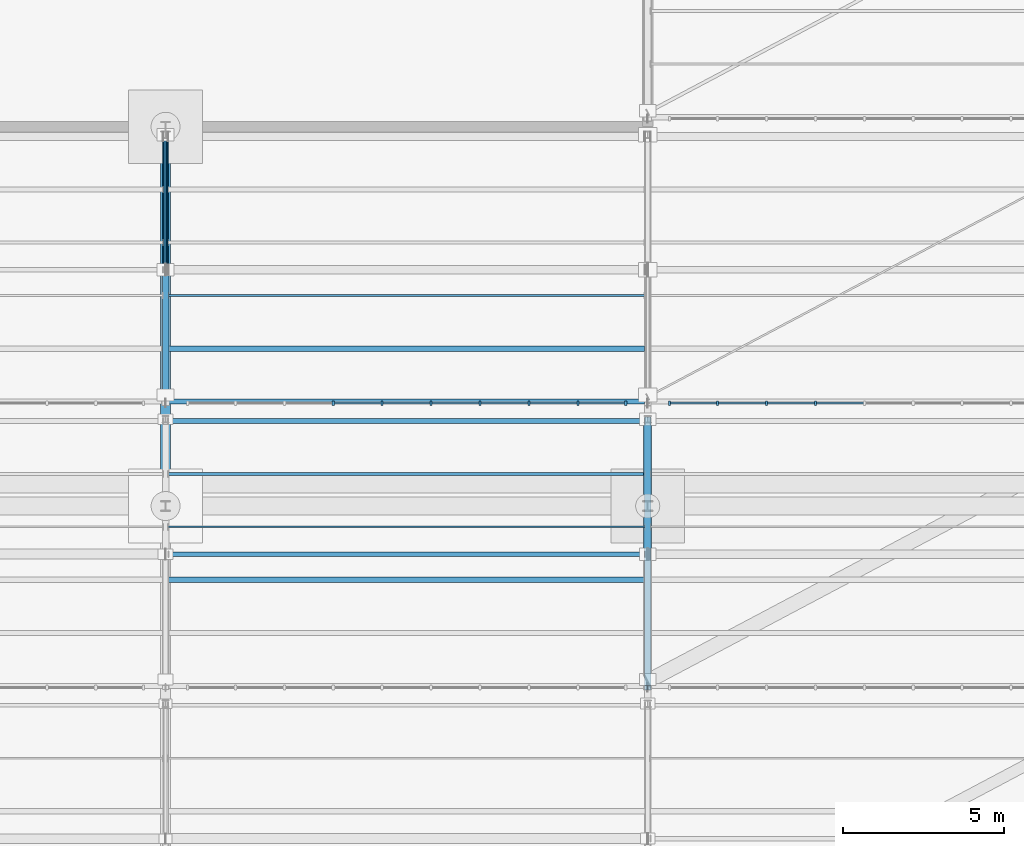
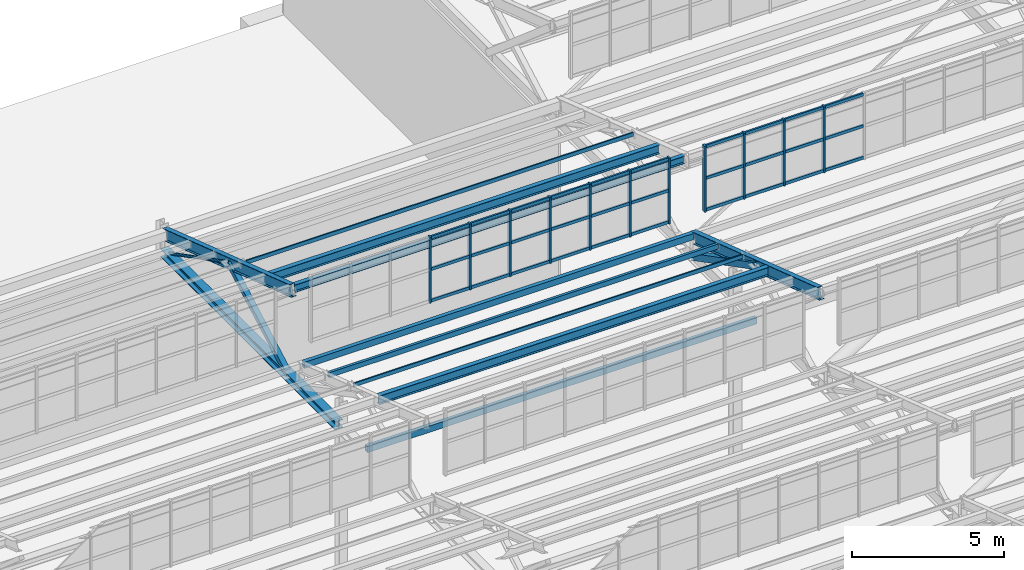
# One storey, part 98 of 285: 45 members, 10 beams, 2 elements without a shape of their own.
"""IFC4 building model written with IfcOpenShell, lengths in metres."""

import ifcopenshell
import ifcopenshell.guid

model = None  # the IFC model being written
_history = None  # IfcOwnerHistory: only IFC2X3 demands one
_inside = {}  # id of a spatial element -> (the spatial element, [elements in it])
_under = {}  # id of a project, library or spatial element -> (it, [spatial elements below it])
_declared = {}  # id of a project -> (the project, [libraries it declares])
_typed = {}  # id of a type object -> (the type object, [elements of that type])
_made_of = {}  # id of a material, layer set ... -> (it, [elements and type objects made of it])


def new_model(schema):
    """Start an empty IFC model of exactly this schema.

    Asked for "IFC4X3", IfcOpenShell would pick the latest addendum, in which some entities
    have other attributes; the version numbers below select the first issue.
    IFC2X3 requires an IfcOwnerHistory on every rooted entity: one is made here for all.
    """
    global model, _history
    if schema == "IFC4X3":
        model = ifcopenshell.file(schema_version=(4, 3, 0, 0))
    else:
        model = ifcopenshell.file(schema=schema)
    _inside.clear()
    _under.clear()
    _declared.clear()
    _typed.clear()
    _made_of.clear()
    _history = None
    if model.schema == "IFC2X3":
        org = make("IfcOrganization", Name="unknown")
        user = make(
            "IfcPersonAndOrganization",
            ThePerson=make("IfcPerson", FamilyName="unknown"),
            TheOrganization=org,
        )
        app = make(
            "IfcApplication",
            ApplicationDeveloper=org,
            Version="unknown",
            ApplicationFullName="unknown",
            ApplicationIdentifier="unknown",
        )
        _history = make(
            "IfcOwnerHistory",
            OwningUser=user,
            OwningApplication=app,
            ChangeAction="ADDED",
            CreationDate=0,
        )
    return model


def make(cls, **values):
    """One entity of the class cls with the attributes given. An attribute that is None is left unset."""
    return model.create_entity(
        cls, **{name: value for name, value in values.items() if value is not None}
    )


def rooted(cls, **values):
    """An entity with a GlobalId (a new one), such as an element, a storey or a relation."""
    return make(cls, GlobalId=ifcopenshell.guid.new(), OwnerHistory=_history, **values)


def si_unit(unit_type, name, prefix=None):
    """IfcSIUnit, for example si_unit("LENGTHUNIT", "METRE", prefix="MILLI")."""
    return make("IfcSIUnit", UnitType=unit_type, Prefix=prefix, Name=name)


def assignment(units):
    """IfcUnitAssignment: the units of a project."""
    return None if units is None else make("IfcUnitAssignment", Units=units)


def point(xyz):
    """IfcCartesianPoint."""
    return None if xyz is None else make("IfcCartesianPoint", Coordinates=xyz)


def direction(xyz):
    """IfcDirection."""
    return None if xyz is None else make("IfcDirection", DirectionRatios=xyz)


def frame(location, z_axis=None, x_axis=None):
    """IfcAxis2Placement3D, a coordinate frame: its origin and axes. An axis left out is left unset."""
    return make(
        "IfcAxis2Placement3D",
        Location=point(location),
        Axis=direction(z_axis),
        RefDirection=direction(x_axis),
    )


def frame_2d(location, x_axis=None):
    """IfcAxis2Placement2D, a coordinate frame in the plane: its origin and x axis."""
    return make(
        "IfcAxis2Placement2D", Location=point(location), RefDirection=direction(x_axis)
    )


def origin():
    """The frame at (0, 0, 0) with its axes left unset."""
    return frame((0.0, 0.0, 0.0))


def origin_2d():
    """The frame at (0, 0) in the plane with its x axis left unset."""
    return frame_2d((0.0, 0.0))


def place(relative_to, where):
    """IfcLocalPlacement: puts the frame where relative to a parent placement (None: the world)."""
    return make(
        "IfcLocalPlacement", PlacementRelTo=relative_to, RelativePlacement=where
    )


def context(
    kind, dimensions, precision=None, world=None, true_north=None, identifier=None
):
    """IfcGeometricRepresentationContext, for example the 3D "Model" context."""
    return make(
        "IfcGeometricRepresentationContext",
        ContextIdentifier=identifier,
        ContextType=kind,
        CoordinateSpaceDimension=dimensions,
        Precision=precision,
        WorldCoordinateSystem=world,
        TrueNorth=true_north,
    )


def subcontext(parent, identifier, kind, view, scale=None):
    """IfcGeometricRepresentationSubContext, for example "Body" below "Model"."""
    return make(
        "IfcGeometricRepresentationSubContext",
        ContextIdentifier=identifier,
        ContextType=kind,
        ParentContext=parent,
        TargetScale=scale,
        TargetView=view,
    )


def project(units=None, contexts=None):
    """IfcProject with its units and contexts."""
    return rooted(
        "IfcProject",
        Name="project",
        RepresentationContexts=contexts,
        UnitsInContext=assignment(units),
    )


def spatial(cls, under=None, at=None, **own):
    """A site, building, storey or space (cls), placed at a placement, below another one or the project."""
    s = rooted(cls, ObjectPlacement=at, **own)
    if under is not None:
        _under.setdefault(under.id(), (under, []))[1].append(s)
    return s


def profile(cls, at=None, kind="AREA", **sizes):
    """A parametric profile (cls). Its sizes go by their IFC names, for example OverallWidth=200.0."""
    return make(cls, ProfileType=kind, Position=at, **sizes)


def rectangle(**sizes):
    """IfcRectangleProfileDef."""
    return profile("IfcRectangleProfileDef", **sizes)


def hollow_rectangle(**sizes):
    """IfcRectangleHollowProfileDef."""
    return profile("IfcRectangleHollowProfileDef", **sizes)


def hollow_circle(**sizes):
    """IfcCircleHollowProfileDef."""
    return profile("IfcCircleHollowProfileDef", **sizes)


def i_section(**sizes):
    """IfcIShapeProfileDef."""
    return profile("IfcIShapeProfileDef", **sizes)


def extrude(swept, where, along, depth):
    """IfcExtrudedAreaSolid: the profile swept, set in the frame where, extruded along a direction by depth."""
    return make(
        "IfcExtrudedAreaSolid",
        SweptArea=swept,
        Position=where,
        ExtrudedDirection=direction(along),
        Depth=depth,
    )


def shape(context_of_items, identifier, shape_type, items):
    """IfcShapeRepresentation: the items that make up one representation, for example the "Body"."""
    return make(
        "IfcShapeRepresentation",
        ContextOfItems=context_of_items,
        RepresentationIdentifier=identifier,
        RepresentationType=shape_type,
        Items=items,
    )


def material(Name=None, Category=None):
    """IfcMaterial."""
    return make("IfcMaterial", Name=Name, Category=Category)


def material_profile(
    of_material, cross_section, Name=None, Category=None, Priority=None
):
    """IfcMaterialProfile: a cross section and its material."""
    return make(
        "IfcMaterialProfile",
        Name=Name,
        Material=of_material,
        Profile=cross_section,
        Priority=Priority,
        Category=Category,
    )


def profile_set(profiles, Name=None, composite=None):
    """IfcMaterialProfileSet."""
    return make(
        "IfcMaterialProfileSet",
        Name=Name,
        MaterialProfiles=profiles,
        CompositeProfile=composite,
    )


def made_of(thing, what):
    """Note that an element or type object is made of a material, layer set ...; save() writes the relation."""
    if what is not None:
        _made_of.setdefault(what.id(), (what, []))[1].append(thing)
    return thing


def type_object(cls, material=None, **own):
    """A type object (cls), such as IfcWallType, which elements share."""
    return made_of(rooted(cls, **own), material)


def element(
    cls,
    number,
    at=None,
    inside=None,
    cuts=None,
    type_object=None,
    material=None,
    context=None,
    identifier="Body",
    shape_type=None,
    held_by="IfcProductDefinitionShape",
    body=None,
    shapes=None,
    **own,
):
    """One element of the class cls, such as IfcWall. Its Tag is "e" and its number.

    at: its placement. inside: the storey or other place that contains it. cuts: it is an
    opening in that element (IfcRelVoidsElement). A single representation is given by context,
    identifier, shape_type and body (its items); several are given by shapes. held_by: the class
    of the entity that holds the representations. save() writes the other relations.
    """
    e = rooted(cls, Tag="e%d" % number, ObjectPlacement=at, **own)
    if body is not None:
        shapes = [shape(context, identifier, shape_type, body)]
    if shapes is not None:
        e.Representation = make(held_by, Representations=shapes)
    if inside is not None:
        _inside.setdefault(inside.id(), (inside, []))[1].append(e)
    if cuts is not None:
        rooted(
            "IfcRelVoidsElement", RelatingBuildingElement=cuts, RelatedOpeningElement=e
        )
    if type_object is not None:
        _typed.setdefault(type_object.id(), (type_object, []))[1].append(e)
    return made_of(e, material)


def aggregate(whole, parts):
    """IfcRelAggregates: a whole, such as a stair, and the parts it consists of."""
    return rooted("IfcRelAggregates", RelatingObject=whole, RelatedObjects=parts)


def save(model, path):
    """Write the relations noted so far, then the file.

    IfcRelAggregates (storeys below a building ...), IfcRelContainedInSpatialStructure (elements
    in a storey), IfcRelDefinesByType, IfcRelAssociatesMaterial and IfcRelDeclares: one each for
    every whole, place, type object, material and project.
    """
    for whole, parts in _under.values():
        aggregate(whole, parts)
    for where, things in _inside.values():
        rooted(
            "IfcRelContainedInSpatialStructure",
            RelatedElements=things,
            RelatingStructure=where,
        )
    for kind, things in _typed.values():
        rooted("IfcRelDefinesByType", RelatedObjects=things, RelatingType=kind)
    for what, things in _made_of.values():
        rooted("IfcRelAssociatesMaterial", RelatedObjects=things, RelatingMaterial=what)
    for by, libraries in _declared.values():
        rooted("IfcRelDeclares", RelatingContext=by, RelatedDefinitions=libraries)
    model.write(path)


model = new_model("IFC4")

# Units and contexts
model_context = context("Model", 3, precision=1e-05, world=origin(), true_north=direction((0.0, 1.0)))
body_context = subcontext(model_context, "Body", "Model", "MODEL_VIEW")
ifc_project = project(units=[si_unit("LENGTHUNIT", "METRE"), si_unit("AREAUNIT", "SQUARE_METRE"), si_unit("VOLUMEUNIT", "CUBIC_METRE"), si_unit("PLANEANGLEUNIT", "RADIAN"), si_unit("MASSUNIT", "GRAM", prefix="KILO")], contexts=[model_context])

# Site, building, storey
site_placement = place(None, origin())
site = spatial("IfcSite", under=ifc_project, at=site_placement, CompositionType="ELEMENT")
building_placement = place(site_placement, origin())
building = spatial("IfcBuilding", under=site, at=building_placement, Name="Solanera Park Tramway Depot", CompositionType="ELEMENT")
storey_placement = place(building_placement, origin())
storey = spatial("IfcBuildingStorey", under=building, at=storey_placement, Name="L00", CompositionType="ELEMENT", Elevation=0.0)

# Curtain wall, members
ifc_material_1 = material(Name="Bronze-anodised thermally broken aluminium curtain wall", Category="aluminium")
curtain_wall_type = type_object("IfcCurtainWallType", Name="Sawtooth Clerestory Monitor Curtain Wall", PredefinedType="NOTDEFINED", material=ifc_material_1)
curtain_wall_1_placement = place(storey_placement, origin())
curtain_wall_1 = element("IfcCurtainWall", 1, at=curtain_wall_1_placement, inside=storey, type_object=curtain_wall_type, Name="L00 Sawtooth Clerestory Monitor Curtain Wall #056", PredefinedType="NOTDEFINED")
ifc_material_2 = material(Name="Bronze-anodised structural aluminium 6063-T6", Category="aluminium")
ifc_material_profile_1 = material_profile(ifc_material_2, rectangle(XDim=0.06494140625, YDim=0.14990234375, at=origin_2d()), Name="Curtain Wall Mullion 65x150")
ifc_profile_set_1 = profile_set([ifc_material_profile_1], Name="Bronze-anodised structural aluminium 6063-T6")
member_type_1 = type_object("IfcMemberType", Name="Curtain Wall Mullion 65x150", PredefinedType="MULLION", material=ifc_profile_set_1)
member_1_placement = place(storey_placement, frame((80.216796875, 117.699951171875, 7.75), z_axis=(0.0, 0.0, 1.0), x_axis=(1.0, 0.0, 0.0)))
member_1 = element("IfcMember", 2, at=member_1_placement, type_object=member_type_1, Name="CW-L00-056 Mullion 4", PredefinedType="MULLION", context=body_context, shape_type="SweptSolid", body=[
    extrude(rectangle(XDim=0.06494140625, YDim=0.14990234375, at=origin_2d()), origin(), (0.0, 0.0, 1.0), 2.6611328125),
])
member_2_placement = place(storey_placement, frame((81.739013671875, 117.699951171875, 7.75), z_axis=(0.0, 0.0, 1.0), x_axis=(1.0, 0.0, 0.0)))
member_2 = element("IfcMember", 3, at=member_2_placement, type_object=member_type_1, Name="CW-L00-056 Mullion 5", PredefinedType="MULLION", context=body_context, shape_type="SweptSolid", body=[
    extrude(rectangle(XDim=0.06494140625, YDim=0.14990234375, at=origin_2d()), origin(), (0.0, 0.0, 1.0), 2.6611328125),
])
member_3_placement = place(storey_placement, frame((83.260986328125, 117.699951171875, 7.75), z_axis=(0.0, 0.0, 1.0), x_axis=(1.0, 0.0, 0.0)))
member_3 = element("IfcMember", 4, at=member_3_placement, type_object=member_type_1, Name="CW-L00-056 Mullion 6", PredefinedType="MULLION", context=body_context, shape_type="SweptSolid", body=[
    extrude(rectangle(XDim=0.06494140625, YDim=0.14990234375, at=origin_2d()), origin(), (0.0, 0.0, 1.0), 2.6611328125),
])
member_4_placement = place(storey_placement, frame((84.783203125, 117.699951171875, 7.75), z_axis=(0.0, 0.0, 1.0), x_axis=(1.0, 0.0, 0.0)))
member_4 = element("IfcMember", 5, at=member_4_placement, type_object=member_type_1, Name="CW-L00-056 Mullion 7", PredefinedType="MULLION", context=body_context, shape_type="SweptSolid", body=[
    extrude(rectangle(XDim=0.06494140625, YDim=0.14990234375, at=origin_2d()), origin(), (0.0, 0.0, 1.0), 2.6611328125),
])
member_5_placement = place(storey_placement, frame((86.3056640625, 117.699951171875, 7.75), z_axis=(0.0, 0.0, 1.0), x_axis=(1.0, 0.0, 0.0)))
member_5 = element("IfcMember", 6, at=member_5_placement, type_object=member_type_1, Name="CW-L00-056 Mullion 8", PredefinedType="MULLION", context=body_context, shape_type="SweptSolid", body=[
    extrude(rectangle(XDim=0.06494140625, YDim=0.14990234375, at=origin_2d()), origin(), (0.0, 0.0, 1.0), 2.6611328125),
])
member_6_placement = place(storey_placement, frame((87.827880859375, 117.699951171875, 7.75), z_axis=(0.0, 0.0, 1.0), x_axis=(1.0, 0.0, 0.0)))
member_6 = element("IfcMember", 7, at=member_6_placement, type_object=member_type_1, Name="CW-L00-056 Mullion 9", PredefinedType="MULLION", context=body_context, shape_type="SweptSolid", body=[
    extrude(rectangle(XDim=0.06494140625, YDim=0.14990234375, at=origin_2d()), origin(), (0.0, 0.0, 1.0), 2.6611328125),
])
member_7_placement = place(storey_placement, frame((89.3173828125, 117.699951171875, 7.75), z_axis=(0.0, 0.0, 1.0), x_axis=(1.0, 0.0, 0.0)))
member_7 = element("IfcMember", 8, at=member_7_placement, type_object=member_type_1, Name="CW-L00-056 Mullion 10", PredefinedType="MULLION", context=body_context, shape_type="SweptSolid", body=[
    extrude(rectangle(XDim=0.06494140625, YDim=0.14990234375, at=origin_2d()), origin(), (0.0, 0.0, 1.0), 2.6611328125),
])

curtain_wall_2_placement = place(storey_placement, origin())
curtain_wall_2 = element("IfcCurtainWall", 9, at=curtain_wall_2_placement, inside=storey, type_object=curtain_wall_type, Name="L00 Sawtooth Clerestory Monitor Curtain Wall #057", PredefinedType="NOTDEFINED")
member_8_placement = place(storey_placement, frame((90.6826171875, 117.699951171875, 7.75), z_axis=(0.0, 0.0, 1.0), x_axis=(1.0, 0.0, 0.0)))
member_8 = element("IfcMember", 10, at=member_8_placement, type_object=member_type_1, Name="CW-L00-057 Mullion 1", PredefinedType="MULLION", context=body_context, shape_type="SweptSolid", body=[
    extrude(rectangle(XDim=0.06494140625, YDim=0.14990234375, at=origin_2d()), origin(), (0.0, 0.0, 1.0), 2.6611328125),
])
member_9_placement = place(storey_placement, frame((92.172119140625, 117.699951171875, 7.75), z_axis=(0.0, 0.0, 1.0), x_axis=(1.0, 0.0, 0.0)))
member_9 = element("IfcMember", 11, at=member_9_placement, type_object=member_type_1, Name="CW-L00-057 Mullion 2", PredefinedType="MULLION", context=body_context, shape_type="SweptSolid", body=[
    extrude(rectangle(XDim=0.06494140625, YDim=0.14990234375, at=origin_2d()), origin(), (0.0, 0.0, 1.0), 2.6611328125),
])
member_10_placement = place(storey_placement, frame((93.6943359375, 117.699951171875, 7.75), z_axis=(0.0, 0.0, 1.0), x_axis=(1.0, 0.0, 0.0)))
member_10 = element("IfcMember", 12, at=member_10_placement, type_object=member_type_1, Name="CW-L00-057 Mullion 3", PredefinedType="MULLION", context=body_context, shape_type="SweptSolid", body=[
    extrude(rectangle(XDim=0.06494140625, YDim=0.14990234375, at=origin_2d()), origin(), (0.0, 0.0, 1.0), 2.6611328125),
])
member_11_placement = place(storey_placement, frame((95.216796875, 117.699951171875, 7.75), z_axis=(0.0, 0.0, 1.0), x_axis=(1.0, 0.0, 0.0)))
member_11 = element("IfcMember", 13, at=member_11_placement, type_object=member_type_1, Name="CW-L00-057 Mullion 4", PredefinedType="MULLION", context=body_context, shape_type="SweptSolid", body=[
    extrude(rectangle(XDim=0.06494140625, YDim=0.14990234375, at=origin_2d()), origin(), (0.0, 0.0, 1.0), 2.6611328125),
])

# Member
ifc_material_3 = material(Name="Bronze-anodised structural aluminium 6063-T6", Category="aluminium")
ifc_material_profile_2 = material_profile(ifc_material_3, rectangle(XDim=0.06494140625, YDim=0.1201171875, at=origin_2d()), Name="Curtain Wall Transom 65x120")
ifc_profile_set_2 = profile_set([ifc_material_profile_2], Name="Bronze-anodised structural aluminium 6063-T6")
member_type_2 = type_object("IfcMemberType", Name="Curtain Wall Transom 65x120", PredefinedType="USERDEFINED", material=ifc_profile_set_2)
member_12_placement = place(storey_placement, frame((80.24462890625, 117.699951171875, 7.81005859375), z_axis=(1.0, 0.0, 0.0), x_axis=(0.0, 1.0, 0.0)))
member_12 = element("IfcMember", 14, at=member_12_placement, type_object=member_type_2, Name="CW-L00-056 Transom R1.C4", ObjectType="TRANSOM", PredefinedType="USERDEFINED", context=body_context, shape_type="SweptSolid", body=[
    extrude(rectangle(XDim=0.06494140625, YDim=0.1201171875, at=origin_2d()), origin(), (0.0, 0.0, 1.0), 1.46630859375),
])

member_13_placement = place(storey_placement, frame((81.766845703125, 117.699951171875, 7.81005859375), z_axis=(1.0, 0.0, 0.0), x_axis=(0.0, 1.0, 0.0)))
member_13 = element("IfcMember", 15, at=member_13_placement, type_object=member_type_2, Name="CW-L00-056 Transom R1.C5", ObjectType="TRANSOM", PredefinedType="USERDEFINED", context=body_context, shape_type="SweptSolid", body=[
    extrude(rectangle(XDim=0.06494140625, YDim=0.1201171875, at=origin_2d()), origin(), (0.0, 0.0, 1.0), 1.46630859375),
])

member_14_placement = place(storey_placement, frame((83.2890625, 117.699951171875, 7.81005859375), z_axis=(1.0, 0.0, 0.0), x_axis=(0.0, 1.0, 0.0)))
member_14 = element("IfcMember", 16, at=member_14_placement, type_object=member_type_2, Name="CW-L00-056 Transom R1.C6", ObjectType="TRANSOM", PredefinedType="USERDEFINED", context=body_context, shape_type="SweptSolid", body=[
    extrude(rectangle(XDim=0.06494140625, YDim=0.1201171875, at=origin_2d()), origin(), (0.0, 0.0, 1.0), 1.46630859375),
])

member_15_placement = place(storey_placement, frame((84.811279296875, 117.699951171875, 7.81005859375), z_axis=(1.0, 0.0, 0.0), x_axis=(0.0, 1.0, 0.0)))
member_15 = element("IfcMember", 17, at=member_15_placement, type_object=member_type_2, Name="CW-L00-056 Transom R1.C7", ObjectType="TRANSOM", PredefinedType="USERDEFINED", context=body_context, shape_type="SweptSolid", body=[
    extrude(rectangle(XDim=0.06494140625, YDim=0.1201171875, at=origin_2d()), origin(), (0.0, 0.0, 1.0), 1.46630859375),
])

member_16_placement = place(storey_placement, frame((86.33349609375, 117.699951171875, 7.81005859375), z_axis=(1.0, 0.0, 0.0), x_axis=(0.0, 1.0, 0.0)))
member_16 = element("IfcMember", 18, at=member_16_placement, type_object=member_type_2, Name="CW-L00-056 Transom R1.C8", ObjectType="TRANSOM", PredefinedType="USERDEFINED", context=body_context, shape_type="SweptSolid", body=[
    extrude(rectangle(XDim=0.06494140625, YDim=0.1201171875, at=origin_2d()), origin(), (0.0, 0.0, 1.0), 1.46630859375),
])

member_17_placement = place(storey_placement, frame((87.855712890625, 117.699951171875, 7.81005859375), z_axis=(1.0, 0.0, 0.0), x_axis=(0.0, 1.0, 0.0)))
member_17 = element("IfcMember", 19, at=member_17_placement, type_object=member_type_2, Name="CW-L00-056 Transom R1.C9", ObjectType="TRANSOM", PredefinedType="USERDEFINED", context=body_context, shape_type="SweptSolid", body=[
    extrude(rectangle(XDim=0.06494140625, YDim=0.1201171875, at=origin_2d()), origin(), (0.0, 0.0, 1.0), 1.433837890625),
])

member_18_placement = place(storey_placement, frame((80.24462890625, 117.699951171875, 9.08056640625), z_axis=(1.0, 0.0, 0.0), x_axis=(0.0, 1.0, 0.0)))
member_18 = element("IfcMember", 20, at=member_18_placement, type_object=member_type_2, Name="CW-L00-056 Transom R2.C4", ObjectType="TRANSOM", PredefinedType="USERDEFINED", context=body_context, shape_type="SweptSolid", body=[
    extrude(rectangle(XDim=0.06494140625, YDim=0.1201171875, at=origin_2d()), origin(), (0.0, 0.0, 1.0), 1.46630859375),
])

member_19_placement = place(storey_placement, frame((81.766845703125, 117.699951171875, 9.08056640625), z_axis=(1.0, 0.0, 0.0), x_axis=(0.0, 1.0, 0.0)))
member_19 = element("IfcMember", 21, at=member_19_placement, type_object=member_type_2, Name="CW-L00-056 Transom R2.C5", ObjectType="TRANSOM", PredefinedType="USERDEFINED", context=body_context, shape_type="SweptSolid", body=[
    extrude(rectangle(XDim=0.06494140625, YDim=0.1201171875, at=origin_2d()), origin(), (0.0, 0.0, 1.0), 1.46630859375),
])

member_20_placement = place(storey_placement, frame((83.2890625, 117.699951171875, 9.08056640625), z_axis=(1.0, 0.0, 0.0), x_axis=(0.0, 1.0, 0.0)))
member_20 = element("IfcMember", 22, at=member_20_placement, type_object=member_type_2, Name="CW-L00-056 Transom R2.C6", ObjectType="TRANSOM", PredefinedType="USERDEFINED", context=body_context, shape_type="SweptSolid", body=[
    extrude(rectangle(XDim=0.06494140625, YDim=0.1201171875, at=origin_2d()), origin(), (0.0, 0.0, 1.0), 1.46630859375),
])

member_21_placement = place(storey_placement, frame((84.811279296875, 117.699951171875, 9.08056640625), z_axis=(1.0, 0.0, 0.0), x_axis=(0.0, 1.0, 0.0)))
member_21 = element("IfcMember", 23, at=member_21_placement, type_object=member_type_2, Name="CW-L00-056 Transom R2.C7", ObjectType="TRANSOM", PredefinedType="USERDEFINED", context=body_context, shape_type="SweptSolid", body=[
    extrude(rectangle(XDim=0.06494140625, YDim=0.1201171875, at=origin_2d()), origin(), (0.0, 0.0, 1.0), 1.46630859375),
])

member_22_placement = place(storey_placement, frame((86.33349609375, 117.699951171875, 9.08056640625), z_axis=(1.0, 0.0, 0.0), x_axis=(0.0, 1.0, 0.0)))
member_22 = element("IfcMember", 24, at=member_22_placement, type_object=member_type_2, Name="CW-L00-056 Transom R2.C8", ObjectType="TRANSOM", PredefinedType="USERDEFINED", context=body_context, shape_type="SweptSolid", body=[
    extrude(rectangle(XDim=0.06494140625, YDim=0.1201171875, at=origin_2d()), origin(), (0.0, 0.0, 1.0), 1.46630859375),
])

member_23_placement = place(storey_placement, frame((87.855712890625, 117.699951171875, 9.08056640625), z_axis=(1.0, 0.0, 0.0), x_axis=(0.0, 1.0, 0.0)))
member_23 = element("IfcMember", 25, at=member_23_placement, type_object=member_type_2, Name="CW-L00-056 Transom R2.C9", ObjectType="TRANSOM", PredefinedType="USERDEFINED", context=body_context, shape_type="SweptSolid", body=[
    extrude(rectangle(XDim=0.06494140625, YDim=0.1201171875, at=origin_2d()), origin(), (0.0, 0.0, 1.0), 1.433837890625),
])

member_24_placement = place(storey_placement, frame((80.24462890625, 117.699951171875, 10.351318359375), z_axis=(1.0, 0.0, 0.0), x_axis=(0.0, 1.0, 0.0)))
member_24 = element("IfcMember", 26, at=member_24_placement, type_object=member_type_2, Name="CW-L00-056 Transom R3.C4", ObjectType="TRANSOM", PredefinedType="USERDEFINED", context=body_context, shape_type="SweptSolid", body=[
    extrude(rectangle(XDim=0.06494140625, YDim=0.1201171875, at=origin_2d()), origin(), (0.0, 0.0, 1.0), 1.46630859375),
])

member_25_placement = place(storey_placement, frame((81.766845703125, 117.699951171875, 10.351318359375), z_axis=(1.0, 0.0, 0.0), x_axis=(0.0, 1.0, 0.0)))
member_25 = element("IfcMember", 27, at=member_25_placement, type_object=member_type_2, Name="CW-L00-056 Transom R3.C5", ObjectType="TRANSOM", PredefinedType="USERDEFINED", context=body_context, shape_type="SweptSolid", body=[
    extrude(rectangle(XDim=0.06494140625, YDim=0.1201171875, at=origin_2d()), origin(), (0.0, 0.0, 1.0), 1.46630859375),
])

member_26_placement = place(storey_placement, frame((83.2890625, 117.699951171875, 10.351318359375), z_axis=(1.0, 0.0, 0.0), x_axis=(0.0, 1.0, 0.0)))
member_26 = element("IfcMember", 28, at=member_26_placement, type_object=member_type_2, Name="CW-L00-056 Transom R3.C6", ObjectType="TRANSOM", PredefinedType="USERDEFINED", context=body_context, shape_type="SweptSolid", body=[
    extrude(rectangle(XDim=0.06494140625, YDim=0.1201171875, at=origin_2d()), origin(), (0.0, 0.0, 1.0), 1.46630859375),
])

member_27_placement = place(storey_placement, frame((84.811279296875, 117.699951171875, 10.351318359375), z_axis=(1.0, 0.0, 0.0), x_axis=(0.0, 1.0, 0.0)))
member_27 = element("IfcMember", 29, at=member_27_placement, type_object=member_type_2, Name="CW-L00-056 Transom R3.C7", ObjectType="TRANSOM", PredefinedType="USERDEFINED", context=body_context, shape_type="SweptSolid", body=[
    extrude(rectangle(XDim=0.06494140625, YDim=0.1201171875, at=origin_2d()), origin(), (0.0, 0.0, 1.0), 1.46630859375),
])

member_28_placement = place(storey_placement, frame((86.33349609375, 117.699951171875, 10.351318359375), z_axis=(1.0, 0.0, 0.0), x_axis=(0.0, 1.0, 0.0)))
member_28 = element("IfcMember", 30, at=member_28_placement, type_object=member_type_2, Name="CW-L00-056 Transom R3.C8", ObjectType="TRANSOM", PredefinedType="USERDEFINED", context=body_context, shape_type="SweptSolid", body=[
    extrude(rectangle(XDim=0.06494140625, YDim=0.1201171875, at=origin_2d()), origin(), (0.0, 0.0, 1.0), 1.46630859375),
])

member_29_placement = place(storey_placement, frame((87.855712890625, 117.699951171875, 10.351318359375), z_axis=(1.0, 0.0, 0.0), x_axis=(0.0, 1.0, 0.0)))
member_29 = element("IfcMember", 31, at=member_29_placement, type_object=member_type_2, Name="CW-L00-056 Transom R3.C9", ObjectType="TRANSOM", PredefinedType="USERDEFINED", context=body_context, shape_type="SweptSolid", body=[
    extrude(rectangle(XDim=0.06494140625, YDim=0.1201171875, at=origin_2d()), origin(), (0.0, 0.0, 1.0), 1.433837890625),
])

aggregate(curtain_wall_1, [member_1, member_2, member_3, member_4, member_5, member_6, member_7, member_12, member_13, member_14, member_15, member_16, member_17, member_18, member_19, member_20, member_21, member_22, member_23, member_24, member_25, member_26, member_27, member_28, member_29])

member_30_placement = place(storey_placement, frame((90.71044921875, 117.699951171875, 7.81005859375), z_axis=(1.0, 0.0, 0.0), x_axis=(0.0, 1.0, 0.0)))
member_30 = element("IfcMember", 32, at=member_30_placement, type_object=member_type_2, Name="CW-L00-057 Transom R1.C1", ObjectType="TRANSOM", PredefinedType="USERDEFINED", context=body_context, shape_type="SweptSolid", body=[
    extrude(rectangle(XDim=0.06494140625, YDim=0.1201171875, at=origin_2d()), origin(), (0.0, 0.0, 1.0), 1.433837890625),
])

member_31_placement = place(storey_placement, frame((92.2001953125, 117.699951171875, 7.81005859375), z_axis=(1.0, 0.0, 0.0), x_axis=(0.0, 1.0, 0.0)))
member_31 = element("IfcMember", 33, at=member_31_placement, type_object=member_type_2, Name="CW-L00-057 Transom R1.C2", ObjectType="TRANSOM", PredefinedType="USERDEFINED", context=body_context, shape_type="SweptSolid", body=[
    extrude(rectangle(XDim=0.06494140625, YDim=0.1201171875, at=origin_2d()), origin(), (0.0, 0.0, 1.0), 1.46630859375),
])

member_32_placement = place(storey_placement, frame((93.722412109375, 117.699951171875, 7.81005859375), z_axis=(1.0, 0.0, 0.0), x_axis=(0.0, 1.0, 0.0)))
member_32 = element("IfcMember", 34, at=member_32_placement, type_object=member_type_2, Name="CW-L00-057 Transom R1.C3", ObjectType="TRANSOM", PredefinedType="USERDEFINED", context=body_context, shape_type="SweptSolid", body=[
    extrude(rectangle(XDim=0.06494140625, YDim=0.1201171875, at=origin_2d()), origin(), (0.0, 0.0, 1.0), 1.46630859375),
])

member_33_placement = place(storey_placement, frame((95.24462890625, 117.699951171875, 7.81005859375), z_axis=(1.0, 0.0, 0.0), x_axis=(0.0, 1.0, 0.0)))
member_33 = element("IfcMember", 35, at=member_33_placement, type_object=member_type_2, Name="CW-L00-057 Transom R1.C4", ObjectType="TRANSOM", PredefinedType="USERDEFINED", context=body_context, shape_type="SweptSolid", body=[
    extrude(rectangle(XDim=0.06494140625, YDim=0.1201171875, at=origin_2d()), origin(), (0.0, 0.0, 1.0), 1.46630859375),
])

member_34_placement = place(storey_placement, frame((90.71044921875, 117.699951171875, 9.08056640625), z_axis=(1.0, 0.0, 0.0), x_axis=(0.0, 1.0, 0.0)))
member_34 = element("IfcMember", 36, at=member_34_placement, type_object=member_type_2, Name="CW-L00-057 Transom R2.C1", ObjectType="TRANSOM", PredefinedType="USERDEFINED", context=body_context, shape_type="SweptSolid", body=[
    extrude(rectangle(XDim=0.06494140625, YDim=0.1201171875, at=origin_2d()), origin(), (0.0, 0.0, 1.0), 1.433837890625),
])

member_35_placement = place(storey_placement, frame((92.2001953125, 117.699951171875, 9.08056640625), z_axis=(1.0, 0.0, 0.0), x_axis=(0.0, 1.0, 0.0)))
member_35 = element("IfcMember", 37, at=member_35_placement, type_object=member_type_2, Name="CW-L00-057 Transom R2.C2", ObjectType="TRANSOM", PredefinedType="USERDEFINED", context=body_context, shape_type="SweptSolid", body=[
    extrude(rectangle(XDim=0.06494140625, YDim=0.1201171875, at=origin_2d()), origin(), (0.0, 0.0, 1.0), 1.46630859375),
])

member_36_placement = place(storey_placement, frame((93.722412109375, 117.699951171875, 9.08056640625), z_axis=(1.0, 0.0, 0.0), x_axis=(0.0, 1.0, 0.0)))
member_36 = element("IfcMember", 38, at=member_36_placement, type_object=member_type_2, Name="CW-L00-057 Transom R2.C3", ObjectType="TRANSOM", PredefinedType="USERDEFINED", context=body_context, shape_type="SweptSolid", body=[
    extrude(rectangle(XDim=0.06494140625, YDim=0.1201171875, at=origin_2d()), origin(), (0.0, 0.0, 1.0), 1.46630859375),
])

member_37_placement = place(storey_placement, frame((95.24462890625, 117.699951171875, 9.08056640625), z_axis=(1.0, 0.0, 0.0), x_axis=(0.0, 1.0, 0.0)))
member_37 = element("IfcMember", 39, at=member_37_placement, type_object=member_type_2, Name="CW-L00-057 Transom R2.C4", ObjectType="TRANSOM", PredefinedType="USERDEFINED", context=body_context, shape_type="SweptSolid", body=[
    extrude(rectangle(XDim=0.06494140625, YDim=0.1201171875, at=origin_2d()), origin(), (0.0, 0.0, 1.0), 1.46630859375),
])

member_38_placement = place(storey_placement, frame((90.71044921875, 117.699951171875, 10.351318359375), z_axis=(1.0, 0.0, 0.0), x_axis=(0.0, 1.0, 0.0)))
member_38 = element("IfcMember", 40, at=member_38_placement, type_object=member_type_2, Name="CW-L00-057 Transom R3.C1", ObjectType="TRANSOM", PredefinedType="USERDEFINED", context=body_context, shape_type="SweptSolid", body=[
    extrude(rectangle(XDim=0.06494140625, YDim=0.1201171875, at=origin_2d()), origin(), (0.0, 0.0, 1.0), 1.433837890625),
])

member_39_placement = place(storey_placement, frame((92.2001953125, 117.699951171875, 10.351318359375), z_axis=(1.0, 0.0, 0.0), x_axis=(0.0, 1.0, 0.0)))
member_39 = element("IfcMember", 41, at=member_39_placement, type_object=member_type_2, Name="CW-L00-057 Transom R3.C2", ObjectType="TRANSOM", PredefinedType="USERDEFINED", context=body_context, shape_type="SweptSolid", body=[
    extrude(rectangle(XDim=0.06494140625, YDim=0.1201171875, at=origin_2d()), origin(), (0.0, 0.0, 1.0), 1.46630859375),
])

member_40_placement = place(storey_placement, frame((93.722412109375, 117.699951171875, 10.351318359375), z_axis=(1.0, 0.0, 0.0), x_axis=(0.0, 1.0, 0.0)))
member_40 = element("IfcMember", 42, at=member_40_placement, type_object=member_type_2, Name="CW-L00-057 Transom R3.C3", ObjectType="TRANSOM", PredefinedType="USERDEFINED", context=body_context, shape_type="SweptSolid", body=[
    extrude(rectangle(XDim=0.06494140625, YDim=0.1201171875, at=origin_2d()), origin(), (0.0, 0.0, 1.0), 1.46630859375),
])

member_41_placement = place(storey_placement, frame((95.24462890625, 117.699951171875, 10.351318359375), z_axis=(1.0, 0.0, 0.0), x_axis=(0.0, 1.0, 0.0)))
member_41 = element("IfcMember", 43, at=member_41_placement, type_object=member_type_2, Name="CW-L00-057 Transom R3.C4", ObjectType="TRANSOM", PredefinedType="USERDEFINED", context=body_context, shape_type="SweptSolid", body=[
    extrude(rectangle(XDim=0.06494140625, YDim=0.1201171875, at=origin_2d()), origin(), (0.0, 0.0, 1.0), 1.46630859375),
])

aggregate(curtain_wall_2, [member_8, member_9, member_10, member_11, member_30, member_31, member_32, member_33, member_34, member_35, member_36, member_37, member_38, member_39, member_40, member_41])

# Members
ifc_material_4 = material(Name="Steel AS/NZS 1163 Grade C350L0", Category="steel")
ifc_material_profile_3 = material_profile(ifc_material_4, hollow_rectangle(XDim=0.199951171875, YDim=0.199951171875, WallThickness=0.008056640625, at=origin_2d()), Name="200x200x8.0 SHS")
ifc_profile_set_3 = profile_set([ifc_material_profile_3], Name="Steel AS/NZS 1163 Grade C350L0")
member_type_3 = type_object("IfcMemberType", Name="Roof Gantry Compression Strut 200x200x8.0 SHS", PredefinedType="STRUT", material=ifc_profile_set_3)
member_42_placement = place(storey_placement, frame((75.0, 117.949951171875, 6.5), z_axis=(0.0, 0.874087581692, 0.485768359954), x_axis=(-1.0, 0.0, 0.0)))
element("IfcMember", 44, at=member_42_placement, inside=storey, type_object=member_type_3, Name="Sawtooth ROOF TRUSS Strut 200x200x8.0 SHS #0337", PredefinedType="STRUT", context=body_context, shape_type="SweptSolid", body=[
    extrude(hollow_rectangle(XDim=0.199951171875, YDim=0.199951171875, WallThickness=0.008056640625, at=origin_2d()), origin(), (0.0, 0.0, 1.0), 4.4619140625),
])
ifc_material_5 = material(Name="Steel AS/NZS 1163 Grade C350L0", Category="steel")
ifc_material_profile_4 = material_profile(ifc_material_5, hollow_rectangle(XDim=0.14990234375, YDim=0.25, WallThickness=0.008056640625, at=origin_2d()), Name="250x150x8.0 RHS")
ifc_profile_set_4 = profile_set([ifc_material_profile_4], Name="Steel AS/NZS 1163 Grade C350L0")
member_type_4 = type_object("IfcMemberType", Name="Secondary Truss Chord 250x150x8.0 RHS", PredefinedType="CHORD", material=ifc_profile_set_4)
member_43_placement = place(storey_placement, frame((75.087890625, 113.0, 6.5), z_axis=(1.0, 0.0, 0.0), x_axis=(0.0, 1.0, 0.0)))
element("IfcMember", 45, at=member_43_placement, inside=storey, type_object=member_type_4, Name="Sawtooth Longitudinal Tie Chord 250x150x8.0 RHS #0313", PredefinedType="CHORD", context=body_context, shape_type="SweptSolid", body=[
    extrude(hollow_rectangle(XDim=0.14990234375, YDim=0.25, WallThickness=0.008056640625, at=origin_2d()), origin(), (0.0, 0.0, 1.0), 14.82421875),
])

# Beams
ifc_material_6 = material(Name="Steel AS/NZS 3679.1 Grade 350", Category="steel")
ifc_material_profile_5 = material_profile(ifc_material_6, i_section(OverallWidth=0.310546875, OverallDepth=0.3271484375, WebThickness=0.015625, FlangeThickness=0.02490234375, at=origin_2d()), Name="310UC158")
ifc_profile_set_5 = profile_set([ifc_material_profile_5], Name="Steel AS/NZS 3679.1 Grade 350")
beam_type_1 = type_object("IfcBeamType", Name="Steel Beam 310UC158", PredefinedType="BEAM", material=ifc_profile_set_5)
beam_1_placement = place(storey_placement, frame((75.0, 114.6533203125, 6.5), z_axis=(0.0, 1.0, 0.0), x_axis=(-1.0, 0.0, 0.0)))
element("IfcBeam", 46, at=beam_1_placement, inside=storey, type_object=beam_type_1, Name="Sawtooth ROOF TRUSS Bottom Chord 310UC158 #0384", PredefinedType="BEAM", context=body_context, shape_type="SweptSolid", body=[
    extrude(i_section(OverallWidth=0.310546875, OverallDepth=0.3271484375, WebThickness=0.015625, FlangeThickness=0.02490234375, at=origin_2d()), origin(), (0.0, 0.0, 1.0), 11.4931640625),
])
ifc_material_7 = material(Name="Steel AS/NZS 3679.1 Grade 350", Category="steel")
ifc_material_profile_6 = material_profile(ifc_material_7, i_section(OverallWidth=0.1904296875, OverallDepth=0.45751953125, WebThickness=0.009033203125, FlangeThickness=0.014404296875, at=origin_2d()), Name="460UB74.6")
ifc_profile_set_6 = profile_set([ifc_material_profile_6], Name="Steel AS/NZS 3679.1 Grade 350")
beam_type_2 = type_object("IfcBeamType", Name="Steel Beam 460UB74.6", PredefinedType="BEAM", material=ifc_profile_set_6)
beam_2_placement = place(storey_placement, frame((90.0, 108.85009765625, 10.05615234375), z_axis=(0.0, 0.948319437663, -0.317317261034), x_axis=(-1.0, 0.0, 0.0)))
element("IfcBeam", 47, at=beam_2_placement, inside=storey, type_object=beam_type_2, Name="Sawtooth ROOF TRUSS Top Rafter 460UB74.6 B07-T7", PredefinedType="BEAM", context=body_context, shape_type="SweptSolid", body=[
    extrude(i_section(OverallWidth=0.1904296875, OverallDepth=0.45751953125, WebThickness=0.009033203125, FlangeThickness=0.014404296875, at=origin_2d()), origin(), (0.0, 0.0, 1.0), 8.804931640625),
])
beam_3_placement = place(storey_placement, frame((75.0, 117.699951171875, 10.05615234375), z_axis=(0.0, 0.948322229475, -0.317308917435), x_axis=(-1.0, 0.0, 0.0)))
element("IfcBeam", 48, at=beam_3_placement, inside=storey, type_object=beam_type_2, Name="Sawtooth ROOF TRUSS Top Rafter 460UB74.6 B08-T6", PredefinedType="BEAM", context=body_context, shape_type="SweptSolid", body=[
    extrude(i_section(OverallWidth=0.1904296875, OverallDepth=0.45751953125, WebThickness=0.009033203125, FlangeThickness=0.014404296875, at=origin_2d()), origin(), (0.0, 0.0, 1.0), 8.80517578125),
])
ifc_material_8 = material(Name="Steel AS/NZS 1163 Grade C350L0", Category="steel")
ifc_material_profile_7 = material_profile(ifc_material_8, hollow_rectangle(XDim=0.050048828125, YDim=0.14990234375, WallThickness=0.0048828125, at=origin_2d()), Name="150x50x5.0 RHS")
ifc_profile_set_7 = profile_set([ifc_material_profile_7], Name="Steel AS/NZS 1163 Grade C350L0")
beam_type_3 = type_object("IfcBeamType", Name="Steel Joist Purlin 150x50x5.0 RHS", PredefinedType="JOIST", material=ifc_profile_set_7)
beam_4_placement = place(storey_placement, frame((75.080810546875, 113.85009765625, 8.550537109375), z_axis=(1.0, 0.0, 0.0), x_axis=(0.0, 1.0, 0.0)))
element("IfcBeam", 49, at=beam_4_placement, inside=storey, type_object=beam_type_3, Name="Sawtooth Roof Purlin 150x50x5.0 RHS B07.4", PredefinedType="JOIST", context=body_context, shape_type="SweptSolid", body=[
    extrude(hollow_rectangle(XDim=0.050048828125, YDim=0.14990234375, WallThickness=0.0048828125, at=origin_2d()), origin(), (0.0, 0.0, 1.0), 14.83203125),
])
beam_5_placement = place(storey_placement, frame((75.087158203125, 121.050048828125, 9.1025390625), z_axis=(1.0, 0.0, 0.0), x_axis=(0.0, 1.0, 0.0)))
element("IfcBeam", 50, at=beam_5_placement, inside=storey, type_object=beam_type_3, Name="Sawtooth Roof Purlin 150x50x5.0 RHS B08.3", PredefinedType="JOIST", context=body_context, shape_type="SweptSolid", body=[
    extrude(hollow_rectangle(XDim=0.050048828125, YDim=0.14990234375, WallThickness=0.0048828125, at=origin_2d()), origin(), (0.0, 0.0, 1.0), 14.816162109375),
])
ifc_material_9 = material(Name="Steel AS/NZS 1163 Grade C350L0", Category="steel")
ifc_material_profile_8 = material_profile(ifc_material_9, hollow_rectangle(XDim=0.10009765625, YDim=0.199951171875, WallThickness=0.006103515625, at=origin_2d()), Name="200x100x6.0 RHS")
ifc_profile_set_8 = profile_set([ifc_material_profile_8], Name="Steel AS/NZS 1163 Grade C350L0")
beam_type_4 = type_object("IfcBeamType", Name="Steel Joist Purlin 200x100x6.0 RHS", PredefinedType="JOIST", material=ifc_profile_set_8)
beam_6_placement = place(storey_placement, frame((75.080810546875, 115.5, 7.965087890625), z_axis=(1.0, 0.0, 0.0), x_axis=(0.0, 1.0, 0.0)))
element("IfcBeam", 51, at=beam_6_placement, inside=storey, type_object=beam_type_4, Name="Sawtooth Roof Purlin 200x100x6.0 RHS B07.5", PredefinedType="JOIST", context=body_context, shape_type="SweptSolid", body=[
    extrude(hollow_rectangle(XDim=0.10009765625, YDim=0.199951171875, WallThickness=0.006103515625, at=origin_2d()), origin(), (0.0, 0.0, 1.0), 14.83203125),
])
ifc_material_10 = material(Name="Steel AS/NZS 1163 Grade C350L0", Category="steel")
ifc_material_profile_9 = material_profile(ifc_material_10, hollow_rectangle(XDim=0.14990234375, YDim=0.25, WallThickness=0.008056640625, at=origin_2d()), Name="250x150x8.0 RHS")
ifc_profile_set_9 = profile_set([ifc_material_profile_9], Name="Steel AS/NZS 1163 Grade C350L0")
beam_type_5 = type_object("IfcBeamType", Name="Steel Joist Purlin 250x150x8.0 RHS", PredefinedType="JOIST", material=ifc_profile_set_9)
beam_7_placement = place(storey_placement, frame((75.080810546875, 117.14990234375, 7.379638671875), z_axis=(1.0, 0.0, 0.0), x_axis=(0.0, 1.0, 0.0)))
element("IfcBeam", 52, at=beam_7_placement, inside=storey, type_object=beam_type_5, Name="Sawtooth Roof Purlin 250x150x8.0 RHS B07.6", PredefinedType="JOIST", context=body_context, shape_type="SweptSolid", body=[
    extrude(hollow_rectangle(XDim=0.14990234375, YDim=0.25, WallThickness=0.008056640625, at=origin_2d()), origin(), (0.0, 0.0, 1.0), 14.83203125),
])
ifc_material_11 = material(Name="Steel AS/NZS 3679.1 Grade 350", Category="steel")
ifc_material_profile_10 = material_profile(ifc_material_11, i_section(OverallWidth=0.166015625, OverallDepth=0.30712890625, WebThickness=0.006591796875, FlangeThickness=0.01171875, at=origin_2d()), Name="310UB46.2")
ifc_profile_set_10 = profile_set([ifc_material_profile_10], Name="Steel AS/NZS 3679.1 Grade 350")
beam_type_6 = type_object("IfcBeamType", Name="Steel Joist Purlin 310UB46.2", PredefinedType="JOIST", material=ifc_profile_set_10)
beam_8_placement = place(storey_placement, frame((75.087158203125, 117.75, 10.108642578125), z_axis=(1.0, 0.0, 0.0), x_axis=(0.0, 1.0, 0.0)))
element("IfcBeam", 53, at=beam_8_placement, inside=storey, type_object=beam_type_6, Name="Sawtooth Roof Purlin 310UB46.2 B08.1", PredefinedType="JOIST", context=body_context, shape_type="SweptSolid", body=[
    extrude(i_section(OverallWidth=0.166015625, OverallDepth=0.30712890625, WebThickness=0.006591796875, FlangeThickness=0.01171875, at=origin_2d()), origin(), (0.0, 0.0, 1.0), 14.816162109375),
])
ifc_material_12 = material(Name="Steel AS/NZS 3679.1 Grade 350", Category="steel")
ifc_material_profile_11 = material_profile(ifc_material_12, i_section(OverallWidth=0.17138671875, OverallDepth=0.355712890625, WebThickness=0.00732421875, FlangeThickness=0.011474609375, at=origin_2d()), Name="360UB50.7")
ifc_profile_set_11 = profile_set([ifc_material_profile_11], Name="Steel AS/NZS 3679.1 Grade 350")
beam_type_7 = type_object("IfcBeamType", Name="Steel Joist Purlin 360UB50.7", PredefinedType="JOIST", material=ifc_profile_set_11)
beam_9_placement = place(storey_placement, frame((75.080810546875, 112.199951171875, 8.9794921875), z_axis=(1.0, 0.0, 0.0), x_axis=(0.0, 1.0, 0.0)))
element("IfcBeam", 54, at=beam_9_placement, inside=storey, type_object=beam_type_7, Name="Sawtooth Roof Purlin 360UB50.7 B07.3", PredefinedType="JOIST", context=body_context, shape_type="SweptSolid", body=[
    extrude(i_section(OverallWidth=0.17138671875, OverallDepth=0.355712890625, WebThickness=0.00732421875, FlangeThickness=0.011474609375, at=origin_2d()), origin(), (0.0, 0.0, 1.0), 14.83203125),
])
beam_10_placement = place(storey_placement, frame((75.087158203125, 119.39990234375, 9.531494140625), z_axis=(1.0, 0.0, 0.0), x_axis=(0.0, 1.0, 0.0)))
element("IfcBeam", 55, at=beam_10_placement, inside=storey, type_object=beam_type_7, Name="Sawtooth Roof Purlin 360UB50.7 B08.2", PredefinedType="JOIST", context=body_context, shape_type="SweptSolid", body=[
    extrude(i_section(OverallWidth=0.17138671875, OverallDepth=0.355712890625, WebThickness=0.00732421875, FlangeThickness=0.011474609375, at=origin_2d()), origin(), (0.0, 0.0, 1.0), 14.816162109375),
])

# Members
ifc_material_13 = material(Name="Steel AS/NZS 1163 Grade C350L0", Category="steel")
ifc_material_profile_12 = material_profile(ifc_material_13, hollow_circle(Radius=0.05712890625, WallThickness=0.0048828125, at=origin_2d()), Name="114.3x4.8 CHS")
ifc_profile_set_12 = profile_set([ifc_material_profile_12], Name="Steel AS/NZS 1163 Grade C350L0")
member_type_5 = type_object("IfcMemberType", Name="Truss and Frame Brace 114.3x4.8 CHS", PredefinedType="BRACE", material=ifc_profile_set_12)
member_44_placement = place(storey_placement, frame((75.0, 126.050048828125, 6.5), z_axis=(0.0, -0.888641030015, 0.458603445008), x_axis=(1.0, 0.0, 0.0)))
element("IfcMember", 56, at=member_44_placement, inside=storey, type_object=member_type_5, Name="Sawtooth ROOF TRUSS Diagonal 114.3x4.8 CHS #0336", PredefinedType="BRACE", context=body_context, shape_type="SweptSolid", body=[
    extrude(hollow_circle(Radius=0.05712890625, WallThickness=0.0048828125, at=origin_2d()), origin(), (0.0, 0.0, 1.0), 4.726318359375),
])
ifc_material_14 = material(Name="Steel AS/NZS 1163 Grade C350L0", Category="steel")
ifc_material_profile_13 = material_profile(ifc_material_14, hollow_rectangle(XDim=0.25, YDim=0.25, WallThickness=0.010009765625, at=origin_2d()), Name="250x250x10.0 SHS")
ifc_profile_set_13 = profile_set([ifc_material_profile_13], Name="Steel AS/NZS 1163 Grade C350L0")
member_type_6 = type_object("IfcMemberType", Name="Truss and Frame Brace 250x250x10.0 SHS", PredefinedType="BRACE", material=ifc_profile_set_13)
member_45_placement = place(storey_placement, frame((90.0, 117.199951171875, 6.5), z_axis=(0.0, -0.888641030015, 0.458603445008), x_axis=(1.0, 0.0, 0.0)))
element("IfcMember", 57, at=member_45_placement, inside=storey, type_object=member_type_6, Name="Sawtooth ROOF TRUSS Diagonal 250x250x10.0 SHS #0292", PredefinedType="BRACE", context=body_context, shape_type="SweptSolid", body=[
    extrude(hollow_rectangle(XDim=0.25, YDim=0.25, WallThickness=0.010009765625, at=origin_2d()), origin(), (0.0, 0.0, 1.0), 4.726318359375),
])

save(model, "model.ifc")
